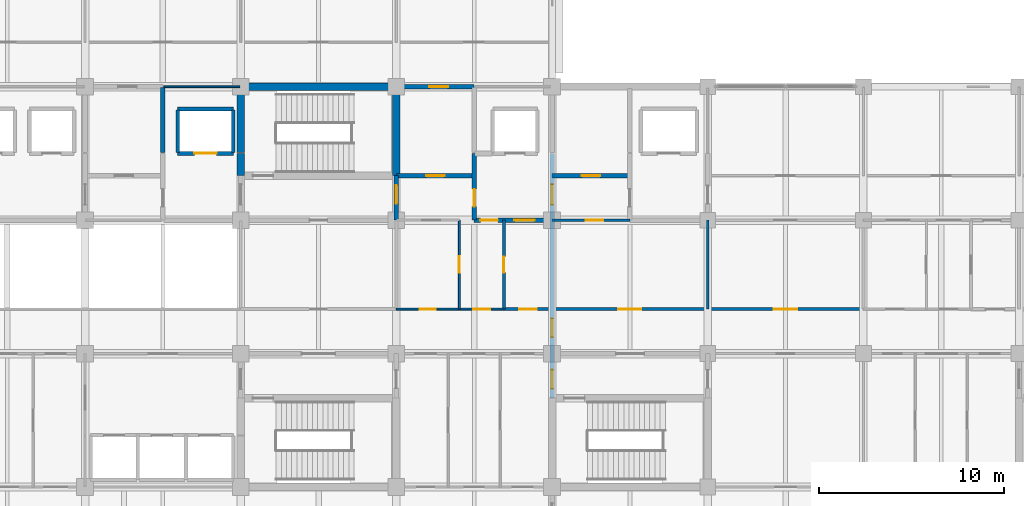
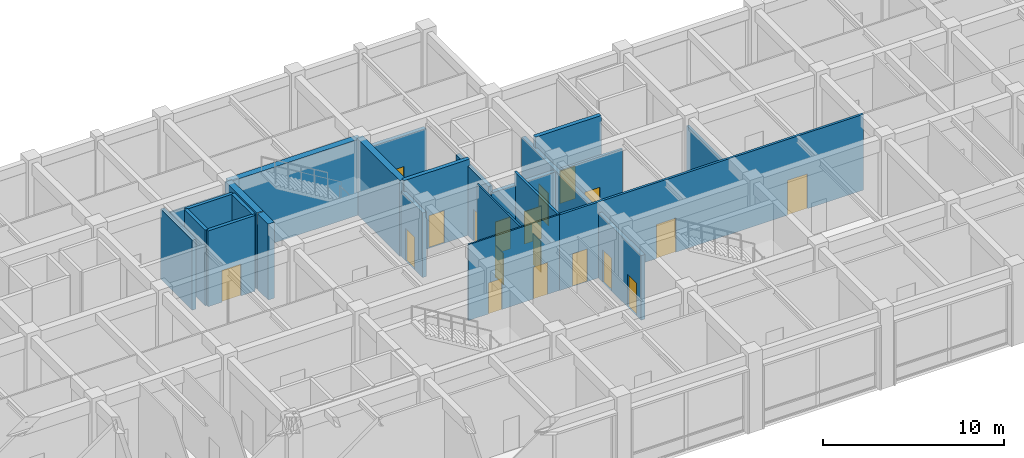
# One storey, part 52 of 68: 23 walls, 19 doors, 19 openings.
"""IFC4 building model written with IfcOpenShell, lengths in metres."""

from ifc_helpers import new_model, si_unit, direction, frame, frame_2d, origin, place, context, subcontext, project, spatial, rectangle, extrude, material, layer, layer_set, type_object, element, fill, save


model = new_model("IFC4")

# Units and contexts
model_context = context("Model", 3, precision=1e-05, world=origin(), true_north=direction((0.0, 1.0)))
body_context = subcontext(model_context, "Body", "Model", "MODEL_VIEW")
ifc_project = project(units=[si_unit("LENGTHUNIT", "METRE"), si_unit("AREAUNIT", "SQUARE_METRE"), si_unit("VOLUMEUNIT", "CUBIC_METRE"), si_unit("PLANEANGLEUNIT", "RADIAN"), si_unit("MASSUNIT", "GRAM", prefix="KILO")], contexts=[model_context])

# Site, building, storey
site_placement = place(None, origin())
site = spatial("IfcSite", under=ifc_project, at=site_placement, CompositionType="ELEMENT")
building_placement = place(site_placement, origin())
building = spatial("IfcBuilding", under=site, at=building_placement, Name="Chengyuan Square Courthouse", CompositionType="ELEMENT")
storey_placement = place(building_placement, frame((0.0, 0.0, 5.39990234375)))
storey = spatial("IfcBuildingStorey", under=building, at=storey_placement, Name="L02", CompositionType="ELEMENT", Elevation=5.39990234375)

# Wall, openings, doors
ifc_material_1 = material(Name="Concrete C40", Category="concrete")
ifc_layer_1 = layer(ifc_material_1, 0.25)
ifc_layer_set_1 = layer_set([ifc_layer_1], Name="Concrete C40")
wall_type_1 = type_object("IfcWallType", Name="WL-FW1", PredefinedType="STANDARD", material=ifc_layer_set_1)
wall_1_placement = place(storey_placement, frame((113.39990234375, 100.800048828125, 0.0), z_axis=(0.0, 0.0, 1.0), x_axis=(1.0, 0.0, 0.0)))
wall_1 = element("IfcWall", 1, at=wall_1_placement, inside=storey, type_object=wall_type_1, Name="Interior Wall WL-L02-I1144", PredefinedType="STANDARD", context=body_context, shape_type="SweptSolid", body=[
    extrude(rectangle(XDim=4.2001953125, YDim=0.25, at=frame_2d((2.10009765625, 0.0))), origin(), (0.0, 0.0, 1.0), 4.27001953125),
])
opening_1_placement = place(wall_1_placement, frame((0.324951171875, 0.0, 0.0)))
opening_1 = element("IfcOpeningElement", 2, at=opening_1_placement, cuts=wall_1, Name="Opening DR-1074", PredefinedType="OPENING", context=body_context, shape_type="SweptSolid", body=[
    extrude(rectangle(XDim=0.949951171875, YDim=2.14990234375, at=frame_2d((0.47509765625, 1.074951171875))), frame((0.0, 0.136962890625, 0.0), z_axis=(0.0, -1.0, 0.0), x_axis=(1.0, 0.0, 0.0)), (0.0, 0.0, 1.0), 0.27392578125),
])
opening_2_placement = place(wall_1_placement, frame((2.1650390625, 0.0, 0.0)))
opening_2 = element("IfcOpeningElement", 3, at=opening_2_placement, cuts=wall_1, Name="Opening DR-1075", PredefinedType="OPENING", context=body_context, shape_type="SweptSolid", body=[
    extrude(rectangle(XDim=1.10009765625, YDim=2.199951171875, at=frame_2d((0.550048828125, 1.10009765625))), frame((0.0, 0.136962890625, 0.0), z_axis=(0.0, -1.0, 0.0), x_axis=(1.0, 0.0, 0.0)), (0.0, 0.0, 1.0), 0.27392578125),
])
ifc_material_2 = material(Name="Steel Q235B Fire Door", Category="steel")
door_type_1 = type_object("IfcDoorType", Name="DT-10", OperationType="NOTDEFINED", PredefinedType="DOOR", material=ifc_material_2)
door_1_placement = place(opening_2_placement, origin())
door_1 = element("IfcDoor", 4, at=door_1_placement, inside=storey, type_object=door_type_1, Name="Interior Door DR-1075", OperationType="SINGLE_SWING_RIGHT", OverallHeight=2.199951171875, OverallWidth=1.10009765625, PredefinedType="DOOR", context=body_context, shape_type="SweptSolid", body=[
    extrude(rectangle(XDim=1.10009765625, YDim=2.199951171875, at=frame_2d((0.550048828125, 1.10009765625))), frame((0.0, 0.02490234375, 0.0), z_axis=(0.0, -1.0, 0.0), x_axis=(1.0, 0.0, 0.0)), (0.0, 0.0, 1.0), 0.050048828125),
])
fill(opening_2, door_1)
door_type_2 = type_object("IfcDoorType", Name="DT-12", OperationType="NOTDEFINED", PredefinedType="DOOR", material=ifc_material_2)
door_2_placement = place(opening_1_placement, origin())
door_2 = element("IfcDoor", 5, at=door_2_placement, inside=storey, type_object=door_type_2, Name="Interior Door DR-1074", OperationType="SINGLE_SWING_LEFT", OverallHeight=2.14990234375, OverallWidth=0.949951171875, PredefinedType="DOOR", context=body_context, shape_type="SweptSolid", body=[
    extrude(rectangle(XDim=0.949951171875, YDim=2.14990234375, at=frame_2d((0.47509765625, 1.074951171875))), frame((0.0, 0.02490234375, 0.0), z_axis=(0.0, -1.0, 0.0), x_axis=(1.0, 0.0, 0.0)), (0.0, 0.0, 1.0), 0.050048828125),
])
fill(opening_1, door_2)

# Wall, opening, door
wall_2_placement = place(storey_placement, frame((109.199951171875, 103.199951171875, 0.0), z_axis=(0.0, 0.0, 1.0), x_axis=(1.0, 0.0, 0.0)))
wall_2 = element("IfcWall", 6, at=wall_2_placement, inside=storey, type_object=wall_type_1, Name="Interior Wall WL-L02-I1159", PredefinedType="STANDARD", context=body_context, shape_type="SweptSolid", body=[
    extrude(rectangle(XDim=4.199951171875, YDim=0.25, at=frame_2d((2.10009765625, 0.0))), origin(), (0.0, 0.0, 1.0), 5.1201171875),
])
opening_3_placement = place(wall_2_placement, frame((1.60009765625, 0.0, 0.0)))
opening_3 = element("IfcOpeningElement", 7, at=opening_3_placement, cuts=wall_2, Name="Opening DR-1070", PredefinedType="OPENING", context=body_context, shape_type="SweptSolid", body=[
    extrude(rectangle(XDim=1.0, YDim=2.199951171875, at=frame_2d((0.5, 1.10009765625))), frame((0.0, 0.136962890625, 0.0), z_axis=(0.0, -1.0, 0.0), x_axis=(1.0, 0.0, 0.0)), (0.0, 0.0, 1.0), 0.27392578125),
])
door_type_3 = type_object("IfcDoorType", Name="DT-11", OperationType="NOTDEFINED", PredefinedType="DOOR", material=ifc_material_2)
door_3_placement = place(opening_3_placement, origin())
door_3 = element("IfcDoor", 8, at=door_3_placement, inside=storey, type_object=door_type_3, Name="Interior Door DR-1070", OperationType="SINGLE_SWING_LEFT", OverallHeight=2.199951171875, OverallWidth=1.0, PredefinedType="DOOR", context=body_context, shape_type="SweptSolid", body=[
    extrude(rectangle(XDim=1.0, YDim=2.199951171875, at=frame_2d((0.5, 1.10009765625))), frame((0.0, 0.02490234375, 0.0), z_axis=(0.0, -1.0, 0.0), x_axis=(1.0, 0.0, 0.0)), (0.0, 0.0, 1.0), 0.050048828125),
])
fill(opening_3, door_3)

wall_3_placement = place(storey_placement, frame((117.60009765625, 103.199951171875, 0.0), z_axis=(0.0, 0.0, 1.0), x_axis=(1.0, 0.0, 0.0)))
wall_3 = element("IfcWall", 9, at=wall_3_placement, inside=storey, type_object=wall_type_1, Name="Interior Wall WL-L02-I1160", PredefinedType="STANDARD", context=body_context, shape_type="SweptSolid", body=[
    extrude(rectangle(XDim=4.199951171875, YDim=0.25, at=frame_2d((2.10009765625, 0.0))), origin(), (0.0, 0.0, 1.0), 5.1201171875),
])
opening_4_placement = place(wall_3_placement, frame((1.60009765625, 0.0, 0.0)))
opening_4 = element("IfcOpeningElement", 10, at=opening_4_placement, cuts=wall_3, Name="Opening DR-1052", PredefinedType="OPENING", context=body_context, shape_type="SweptSolid", body=[
    extrude(rectangle(XDim=1.0, YDim=2.199951171875, at=frame_2d((0.5, 1.10009765625))), frame((0.0, 0.136962890625, 0.0), z_axis=(0.0, -1.0, 0.0), x_axis=(1.0, 0.0, 0.0)), (0.0, 0.0, 1.0), 0.27392578125),
])
door_4_placement = place(opening_4_placement, origin())
door_4 = element("IfcDoor", 11, at=door_4_placement, inside=storey, type_object=door_type_3, Name="Interior Door DR-1052", OperationType="SINGLE_SWING_RIGHT", OverallHeight=2.199951171875, OverallWidth=1.0, PredefinedType="DOOR", context=body_context, shape_type="SweptSolid", body=[
    extrude(rectangle(XDim=1.0, YDim=2.199951171875, at=frame_2d((0.5, 1.10009765625))), frame((0.0, 0.02490234375, 0.0), z_axis=(0.0, -1.0, 0.0), x_axis=(1.0, 0.0, 0.0)), (0.0, 0.0, 1.0), 0.050048828125),
])
fill(opening_4, door_4)

wall_4_placement = place(storey_placement, frame((109.199951171875, 108.0, 0.0), z_axis=(0.0, 0.0, 1.0), x_axis=(1.0, 0.0, 0.0)))
wall_4 = element("IfcWall", 12, at=wall_4_placement, inside=storey, type_object=wall_type_1, Name="Interior Wall WL-L02-I1196", PredefinedType="STANDARD", context=body_context, shape_type="SweptSolid", body=[
    extrude(rectangle(XDim=4.199951171875, YDim=0.25, at=frame_2d((2.10009765625, 0.0))), origin(), (0.0, 0.0, 1.0), 4.27001953125),
])
opening_5_placement = place(wall_4_placement, frame((1.784912109375, 0.0, 0.0)))
opening_5 = element("IfcOpeningElement", 13, at=opening_5_placement, cuts=wall_4, Name="Opening DR-1073", PredefinedType="OPENING", context=body_context, shape_type="SweptSolid", body=[
    extrude(rectangle(XDim=1.0, YDim=2.199951171875, at=frame_2d((0.5, 1.10009765625))), frame((0.0, 0.136962890625, 0.0), z_axis=(0.0, -1.0, 0.0), x_axis=(1.0, 0.0, 0.0)), (0.0, 0.0, 1.0), 0.27392578125),
])
door_5_placement = place(opening_5_placement, origin())
door_5 = element("IfcDoor", 14, at=door_5_placement, inside=storey, type_object=door_type_3, Name="Interior Door DR-1073", OperationType="SINGLE_SWING_RIGHT", OverallHeight=2.199951171875, OverallWidth=1.0, PredefinedType="DOOR", context=body_context, shape_type="SweptSolid", body=[
    extrude(rectangle(XDim=1.0, YDim=2.199951171875, at=frame_2d((0.5, 1.10009765625))), frame((0.0, 0.02490234375, 0.0), z_axis=(0.0, -1.0, 0.0), x_axis=(1.0, 0.0, 0.0)), (0.0, 0.0, 1.0), 0.050048828125),
])
fill(opening_5, door_5)

# Wall
wall_5_placement = place(storey_placement, frame((96.60009765625, 104.449951171875, 0.0), z_axis=(0.0, 0.0, 1.0), x_axis=(0.0, 1.0, 0.0)))
element("IfcWall", 15, at=wall_5_placement, inside=storey, type_object=wall_type_1, Name="Interior Wall WL-L02-I1311", PredefinedType="STANDARD", context=body_context, shape_type="SweptSolid", body=[
    extrude(rectangle(XDim=3.5, YDim=0.25, at=frame_2d((1.75, 0.0))), origin(), (0.0, 0.0, 1.0), 4.72021484375),
])

# Wall, opening, door
wall_6_placement = place(storey_placement, frame((109.199951171875, 100.800048828125, 0.0), z_axis=(0.0, 0.0, 1.0), x_axis=(0.0, 1.0, 0.0)))
wall_6 = element("IfcWall", 16, at=wall_6_placement, inside=storey, type_object=wall_type_1, Name="Interior Wall WL-L02-I1329", PredefinedType="STANDARD", context=body_context, shape_type="SweptSolid", body=[
    extrude(rectangle(XDim=2.39990234375, YDim=0.25, at=frame_2d((1.199951171875, 0.0))), origin(), (0.0, 0.0, 1.0), 4.3701171875),
])
opening_6_placement = place(wall_6_placement, frame((0.885009765625, 0.0, 0.0)))
opening_6 = element("IfcOpeningElement", 17, at=opening_6_placement, cuts=wall_6, Name="Opening DR-1013", PredefinedType="OPENING", context=body_context, shape_type="SweptSolid", body=[
    extrude(rectangle(XDim=1.0, YDim=2.199951171875, at=frame_2d((0.5, 1.10009765625))), frame((0.0, 0.136962890625, 0.0), z_axis=(0.0, -1.0, 0.0), x_axis=(1.0, 0.0, 0.0)), (0.0, 0.0, 1.0), 0.27392578125),
])
door_6_placement = place(opening_6_placement, origin())
door_6 = element("IfcDoor", 18, at=door_6_placement, inside=storey, type_object=door_type_3, Name="Interior Door DR-1013", OperationType="SINGLE_SWING_LEFT", OverallHeight=2.199951171875, OverallWidth=1.0, PredefinedType="DOOR", context=body_context, shape_type="SweptSolid", body=[
    extrude(rectangle(XDim=1.0, YDim=2.199951171875, at=frame_2d((0.5, 1.10009765625))), frame((0.0, 0.02490234375, 0.0), z_axis=(0.0, -1.0, 0.0), x_axis=(1.0, 0.0, 0.0)), (0.0, 0.0, 1.0), 0.050048828125),
])
fill(opening_6, door_6)

wall_7_placement = place(storey_placement, frame((113.39990234375, 100.800048828125, 0.0), z_axis=(0.0, 0.0, 1.0), x_axis=(0.0, 1.0, 0.0)))
wall_7 = element("IfcWall", 19, at=wall_7_placement, inside=storey, type_object=wall_type_1, Name="Interior Wall WL-L02-I1334", PredefinedType="STANDARD", context=body_context, shape_type="SweptSolid", body=[
    extrude(rectangle(XDim=3.599853515625, YDim=0.25, at=frame_2d((1.7998046875, 0.0))), origin(), (0.0, 0.0, 1.0), 4.670166015625),
])
opening_7_placement = place(wall_7_placement, frame((0.72509765625, 0.0, 0.0)))
opening_7 = element("IfcOpeningElement", 20, at=opening_7_placement, cuts=wall_7, Name="Opening DR-1071", PredefinedType="OPENING", context=body_context, shape_type="SweptSolid", body=[
    extrude(rectangle(XDim=0.949951171875, YDim=2.14990234375, at=frame_2d((0.47509765625, 1.074951171875))), frame((0.0, 0.136962890625, 0.0), z_axis=(0.0, -1.0, 0.0), x_axis=(1.0, 0.0, 0.0)), (0.0, 0.0, 1.0), 0.27392578125),
])
door_7_placement = place(opening_7_placement, origin())
door_7 = element("IfcDoor", 21, at=door_7_placement, inside=storey, type_object=door_type_2, Name="Interior Door DR-1071", OperationType="SINGLE_SWING_RIGHT", OverallHeight=2.14990234375, OverallWidth=0.949951171875, PredefinedType="DOOR", context=body_context, shape_type="SweptSolid", body=[
    extrude(rectangle(XDim=0.949951171875, YDim=2.14990234375, at=frame_2d((0.47509765625, 1.074951171875))), frame((0.0, 0.02490234375, 0.0), z_axis=(0.0, -1.0, 0.0), x_axis=(1.0, 0.0, 0.0)), (0.0, 0.0, 1.0), 0.050048828125),
])
fill(opening_7, door_7)

# Wall, openings, doors
wall_8_placement = place(storey_placement, frame((117.60009765625, 91.199951171875, 0.0), z_axis=(0.0, 0.0, 1.0), x_axis=(0.0, 1.0, 0.0)))
wall_8 = element("IfcWall", 22, at=wall_8_placement, inside=storey, type_object=wall_type_1, Name="Interior Wall WL-L02-I1342", PredefinedType="STANDARD", context=body_context, shape_type="SweptSolid", body=[
    extrude(rectangle(XDim=13.199951171875, YDim=0.25, at=frame_2d((6.60009765625, 0.0))), origin(), (0.0, 0.0, 1.0), 4.3701171875),
])
opening_8_placement = place(wall_8_placement, frame((0.514892578125, 0.0, 0.0)))
opening_8 = element("IfcOpeningElement", 23, at=opening_8_placement, cuts=wall_8, Name="Opening DR-1025", PredefinedType="OPENING", context=body_context, shape_type="SweptSolid", body=[
    extrude(rectangle(XDim=1.0, YDim=2.199951171875, at=frame_2d((0.5, 1.10009765625))), frame((0.0, 0.136962890625, 0.0), z_axis=(0.0, -1.0, 0.0), x_axis=(1.0, 0.0, 0.0)), (0.0, 0.0, 1.0), 0.27392578125),
])
opening_9_placement = place(wall_8_placement, frame((10.43505859375, 0.0, 0.0)))
opening_9 = element("IfcOpeningElement", 24, at=opening_9_placement, cuts=wall_8, Name="Opening DR-1054", PredefinedType="OPENING", context=body_context, shape_type="SweptSolid", body=[
    extrude(rectangle(XDim=1.10009765625, YDim=2.199951171875, at=frame_2d((0.550048828125, 1.10009765625))), frame((0.0, 0.136962890625, 0.0), z_axis=(0.0, -1.0, 0.0), x_axis=(1.0, 0.0, 0.0)), (0.0, 0.0, 1.0), 0.27392578125),
])
opening_10_placement = place(wall_8_placement, frame((3.284912109375, 0.0, 0.0)))
opening_10 = element("IfcOpeningElement", 25, at=opening_10_placement, cuts=wall_8, Name="Opening DR-1136", PredefinedType="OPENING", context=body_context, shape_type="SweptSolid", body=[
    extrude(rectangle(XDim=1.0, YDim=2.199951171875, at=frame_2d((0.5, 1.10009765625))), frame((0.0, 0.136962890625, 0.0), z_axis=(0.0, -1.0, 0.0), x_axis=(1.0, 0.0, 0.0)), (0.0, 0.0, 1.0), 0.27392578125),
])
door_8_placement = place(opening_9_placement, origin())
door_8 = element("IfcDoor", 26, at=door_8_placement, inside=storey, type_object=door_type_1, Name="Interior Door DR-1054", OperationType="SINGLE_SWING_RIGHT", OverallHeight=2.199951171875, OverallWidth=1.10009765625, PredefinedType="DOOR", context=body_context, shape_type="SweptSolid", body=[
    extrude(rectangle(XDim=1.10009765625, YDim=2.199951171875, at=frame_2d((0.550048828125, 1.10009765625))), frame((0.0, 0.02490234375, 0.0), z_axis=(0.0, -1.0, 0.0), x_axis=(1.0, 0.0, 0.0)), (0.0, 0.0, 1.0), 0.050048828125),
])
fill(opening_9, door_8)
door_9_placement = place(opening_8_placement, origin())
door_9 = element("IfcDoor", 27, at=door_9_placement, inside=storey, type_object=door_type_3, Name="Interior Door DR-1025", OperationType="SINGLE_SWING_LEFT", OverallHeight=2.199951171875, OverallWidth=1.0, PredefinedType="DOOR", context=body_context, shape_type="SweptSolid", body=[
    extrude(rectangle(XDim=1.0, YDim=2.199951171875, at=frame_2d((0.5, 1.10009765625))), frame((0.0, 0.02490234375, 0.0), z_axis=(0.0, -1.0, 0.0), x_axis=(1.0, 0.0, 0.0)), (0.0, 0.0, 1.0), 0.050048828125),
])
fill(opening_8, door_9)
door_10_placement = place(opening_10_placement, origin())
door_10 = element("IfcDoor", 28, at=door_10_placement, inside=storey, type_object=door_type_3, Name="Interior Door DR-1136", OperationType="SINGLE_SWING_RIGHT", OverallHeight=2.199951171875, OverallWidth=1.0, PredefinedType="DOOR", context=body_context, shape_type="SweptSolid", body=[
    extrude(rectangle(XDim=1.0, YDim=2.199951171875, at=frame_2d((0.5, 1.10009765625))), frame((0.0, 0.02490234375, 0.0), z_axis=(0.0, -1.0, 0.0), x_axis=(1.0, 0.0, 0.0)), (0.0, 0.0, 1.0), 0.050048828125),
])
fill(opening_10, door_10)

ifc_material_3 = material(Name="Deliberation Room Sound-Insulated Partition")
ifc_layer_2 = layer(ifc_material_3, 0.14990234375)
ifc_layer_set_2 = layer_set([ifc_layer_2], Name="Deliberation Room Sound-Insulated Partition")
wall_type_2 = type_object("IfcWallType", Name="WL-PT3", PredefinedType="STANDARD", material=ifc_layer_set_2)
wall_9_placement = place(storey_placement, frame((115.0, 96.0, 0.0), z_axis=(0.0, 0.0, 1.0), x_axis=(1.0, 0.0, 0.0)))
wall_9 = element("IfcWall", 29, at=wall_9_placement, inside=storey, type_object=wall_type_2, Name="Interior Wall WL-L02-I1121", PredefinedType="STANDARD", context=body_context, shape_type="SweptSolid", body=[
    extrude(rectangle(XDim=19.39990234375, YDim=0.14990234375, at=frame_2d((9.699951171875, 0.0))), origin(), (0.0, 0.0, 1.0), 5.1201171875),
])
opening_11_placement = place(wall_9_placement, frame((0.820068359375, 0.0, 0.0)))
opening_11 = element("IfcOpeningElement", 30, at=opening_11_placement, cuts=wall_9, Name="Opening DR-1140", PredefinedType="OPENING", context=body_context, shape_type="SweptSolid", body=[
    extrude(rectangle(XDim=0.9599609375, YDim=2.199951171875, at=frame_2d((0.47998046875, 1.10009765625))), frame((0.0, 0.0869140625, 0.0), z_axis=(0.0, -1.0, 0.0), x_axis=(1.0, 0.0, 0.0)), (0.0, 0.0, 1.0), 0.173828125),
])
opening_12_placement = place(wall_9_placement, frame((6.179931640625, 0.0, 0.0)))
opening_12 = element("IfcOpeningElement", 31, at=opening_12_placement, cuts=wall_9, Name="Opening DR-1147", PredefinedType="OPENING", context=body_context, shape_type="SweptSolid", body=[
    extrude(rectangle(XDim=1.239990234375, YDim=2.300048828125, at=frame_2d((0.6201171875, 1.14990234375))), frame((0.0, 0.0869140625, 0.0), z_axis=(0.0, -1.0, 0.0), x_axis=(1.0, 0.0, 0.0)), (0.0, 0.0, 1.0), 0.173828125),
])
opening_13_placement = place(wall_9_placement, frame((14.56005859375, 0.0, 0.0)))
opening_13 = element("IfcOpeningElement", 32, at=opening_13_placement, cuts=wall_9, Name="Opening DR-1148", PredefinedType="OPENING", context=body_context, shape_type="SweptSolid", body=[
    extrude(rectangle(XDim=1.280029296875, YDim=2.35009765625, at=frame_2d((0.64013671875, 1.175048828125))), frame((0.0, 0.0869140625, 0.0), z_axis=(0.0, -1.0, 0.0), x_axis=(1.0, 0.0, 0.0)), (0.0, 0.0, 1.0), 0.173828125),
])
ifc_material_4 = material(Name="Acoustic Solid-Core Timber Door", Category="wood")
door_type_4 = type_object("IfcDoorType", Name="DT-30", OperationType="NOTDEFINED", PredefinedType="DOOR", material=ifc_material_4)
door_11_placement = place(opening_11_placement, origin())
door_11 = element("IfcDoor", 33, at=door_11_placement, inside=storey, type_object=door_type_4, Name="Interior Door DR-1140", OperationType="SINGLE_SWING_RIGHT", OverallHeight=2.199951171875, OverallWidth=0.9599609375, PredefinedType="DOOR", context=body_context, shape_type="SweptSolid", body=[
    extrude(rectangle(XDim=0.9599609375, YDim=2.199951171875, at=frame_2d((0.47998046875, 1.10009765625))), frame((0.0, 0.02490234375, 0.0), z_axis=(0.0, -1.0, 0.0), x_axis=(1.0, 0.0, 0.0)), (0.0, 0.0, 1.0), 0.050048828125),
])
fill(opening_11, door_11)
door_type_5 = type_object("IfcDoorType", Name="DT-37", OperationType="NOTDEFINED", PredefinedType="DOOR", material=ifc_material_4)
door_12_placement = place(opening_12_placement, origin())
door_12 = element("IfcDoor", 34, at=door_12_placement, inside=storey, type_object=door_type_5, Name="Interior Door DR-1147", OperationType="SINGLE_SWING_LEFT", OverallHeight=2.300048828125, OverallWidth=1.239990234375, PredefinedType="DOOR", context=body_context, shape_type="SweptSolid", body=[
    extrude(rectangle(XDim=1.239990234375, YDim=2.300048828125, at=frame_2d((0.6201171875, 1.14990234375))), frame((0.0, 0.02490234375, 0.0), z_axis=(0.0, -1.0, 0.0), x_axis=(1.0, 0.0, 0.0)), (0.0, 0.0, 1.0), 0.050048828125),
])
fill(opening_12, door_12)
door_type_6 = type_object("IfcDoorType", Name="DT-38", OperationType="NOTDEFINED", PredefinedType="DOOR", material=ifc_material_4)
door_13_placement = place(opening_13_placement, origin())
door_13 = element("IfcDoor", 35, at=door_13_placement, inside=storey, type_object=door_type_6, Name="Interior Door DR-1148", OperationType="SINGLE_SWING_RIGHT", OverallHeight=2.35009765625, OverallWidth=1.280029296875, PredefinedType="DOOR", context=body_context, shape_type="SweptSolid", body=[
    extrude(rectangle(XDim=1.280029296875, YDim=2.35009765625, at=frame_2d((0.64013671875, 1.175048828125))), frame((0.0, 0.02490234375, 0.0), z_axis=(0.0, -1.0, 0.0), x_axis=(1.0, 0.0, 0.0)), (0.0, 0.0, 1.0), 0.050048828125),
])
fill(opening_13, door_13)

# Wall, opening, door
wall_10_placement = place(storey_placement, frame((117.60009765625, 100.800048828125, 0.0), z_axis=(0.0, 0.0, 1.0), x_axis=(1.0, 0.0, 0.0)))
wall_10 = element("IfcWall", 36, at=wall_10_placement, inside=storey, type_object=wall_type_2, Name="Interior Wall WL-L02-I1145", PredefinedType="STANDARD", context=body_context, shape_type="SweptSolid", body=[
    extrude(rectangle(XDim=4.199951171875, YDim=0.14990234375, at=frame_2d((2.10009765625, 0.0))), origin(), (0.0, 0.0, 1.0), 4.27001953125),
])
opening_14_placement = place(wall_10_placement, frame((1.804931640625, 0.0, 0.0)))
opening_14 = element("IfcOpeningElement", 37, at=opening_14_placement, cuts=wall_10, Name="Opening DR-1055", PredefinedType="OPENING", context=body_context, shape_type="SweptSolid", body=[
    extrude(rectangle(XDim=0.9599609375, YDim=2.199951171875, at=frame_2d((0.47998046875, 1.10009765625))), frame((0.0, 0.0869140625, 0.0), z_axis=(0.0, -1.0, 0.0), x_axis=(1.0, 0.0, 0.0)), (0.0, 0.0, 1.0), 0.173828125),
])
door_14_placement = place(opening_14_placement, origin())
door_14 = element("IfcDoor", 38, at=door_14_placement, inside=storey, type_object=door_type_4, Name="Interior Door DR-1055", OperationType="SINGLE_SWING_LEFT", OverallHeight=2.199951171875, OverallWidth=0.9599609375, PredefinedType="DOOR", context=body_context, shape_type="SweptSolid", body=[
    extrude(rectangle(XDim=0.9599609375, YDim=2.199951171875, at=frame_2d((0.47998046875, 1.10009765625))), frame((0.0, 0.02490234375, 0.0), z_axis=(0.0, -1.0, 0.0), x_axis=(1.0, 0.0, 0.0)), (0.0, 0.0, 1.0), 0.050048828125),
])
fill(opening_14, door_14)

wall_11_placement = place(storey_placement, frame((115.0, 96.0, 0.0), z_axis=(0.0, 0.0, 1.0), x_axis=(0.0, 1.0, 0.0)))
wall_11 = element("IfcWall", 39, at=wall_11_placement, inside=storey, type_object=wall_type_2, Name="Interior Wall WL-L02-I1338", PredefinedType="STANDARD", context=body_context, shape_type="SweptSolid", body=[
    extrude(rectangle(XDim=4.800048828125, YDim=0.14990234375, at=frame_2d((2.39990234375, 0.0))), origin(), (0.0, 0.0, 1.0), 5.1201171875),
])
opening_15_placement = place(wall_11_placement, frame((1.969970703125, 0.0, 0.0)))
opening_15 = element("IfcOpeningElement", 40, at=opening_15_placement, cuts=wall_11, Name="Opening DR-1172", PredefinedType="OPENING", context=body_context, shape_type="SweptSolid", body=[
    extrude(rectangle(XDim=0.860107421875, YDim=2.10009765625, at=frame_2d((0.43017578125, 1.050048828125))), frame((0.0, 0.0869140625, 0.0), z_axis=(0.0, -1.0, 0.0), x_axis=(1.0, 0.0, 0.0)), (0.0, 0.0, 1.0), 0.173828125),
])
door_type_7 = type_object("IfcDoorType", Name="DT-28", OperationType="NOTDEFINED", PredefinedType="DOOR", material=ifc_material_4)
door_15_placement = place(opening_15_placement, origin())
door_15 = element("IfcDoor", 41, at=door_15_placement, inside=storey, type_object=door_type_7, Name="Interior Door DR-1172", OperationType="SINGLE_SWING_LEFT", OverallHeight=2.10009765625, OverallWidth=0.860107421875, PredefinedType="DOOR", context=body_context, shape_type="SweptSolid", body=[
    extrude(rectangle(XDim=0.860107421875, YDim=2.10009765625, at=frame_2d((0.43017578125, 1.050048828125))), frame((0.0, 0.02490234375, 0.0), z_axis=(0.0, -1.0, 0.0), x_axis=(1.0, 0.0, 0.0)), (0.0, 0.0, 1.0), 0.050048828125),
])
fill(opening_15, door_15)

# Wall
wall_12_placement = place(storey_placement, frame((126.0, 96.0, 0.0), z_axis=(0.0, 0.0, 1.0), x_axis=(0.0, 1.0, 0.0)))
element("IfcWall", 42, at=wall_12_placement, inside=storey, type_object=wall_type_2, Name="Interior Wall WL-L02-I1351", PredefinedType="STANDARD", context=body_context, shape_type="SweptSolid", body=[
    extrude(rectangle(XDim=4.800048828125, YDim=0.14990234375, at=frame_2d((2.39990234375, 0.0))), origin(), (0.0, 0.0, 1.0), 4.3701171875),
])

# Wall, openings, doors
ifc_material_5 = material(Name="Gypsum Plasterboard Acoustic Stud Partition")
ifc_layer_3 = layer(ifc_material_5, 0.10009765625)
ifc_layer_set_3 = layer_set([ifc_layer_3], Name="Gypsum Plasterboard Acoustic Stud Partition")
wall_type_3 = type_object("IfcWallType", Name="WL-PT6", PredefinedType="STANDARD", material=ifc_layer_set_3)
wall_13_placement = place(storey_placement, frame((109.199951171875, 96.0, 0.0), z_axis=(0.0, 0.0, 1.0), x_axis=(1.0, 0.0, 0.0)))
wall_13 = element("IfcWall", 43, at=wall_13_placement, inside=storey, type_object=wall_type_3, Name="Interior Wall WL-L02-I1120", PredefinedType="STANDARD", context=body_context, shape_type="SweptSolid", body=[
    extrude(rectangle(XDim=5.800048828125, YDim=0.10009765625, at=frame_2d((2.89990234375, 0.0))), origin(), (0.0, 0.0, 1.0), 5.1201171875),
])
opening_16_placement = place(wall_13_placement, frame((1.27001953125, 0.0, 0.0)))
opening_16 = element("IfcOpeningElement", 44, at=opening_16_placement, cuts=wall_13, Name="Opening DR-1138", PredefinedType="OPENING", context=body_context, shape_type="SweptSolid", body=[
    extrude(rectangle(XDim=0.860107421875, YDim=2.10009765625, at=frame_2d((0.43017578125, 1.050048828125))), frame((0.0, 0.06201171875, 0.0), z_axis=(0.0, -1.0, 0.0), x_axis=(1.0, 0.0, 0.0)), (0.0, 0.0, 1.0), 0.1240234375),
])
opening_17_placement = place(wall_13_placement, frame((4.139892578125, 0.0, 0.0)))
opening_17 = element("IfcOpeningElement", 45, at=opening_17_placement, cuts=wall_13, Name="Opening DR-1139", PredefinedType="OPENING", context=body_context, shape_type="SweptSolid", body=[
    extrude(rectangle(XDim=0.919921875, YDim=2.14990234375, at=frame_2d((0.4599609375, 1.074951171875))), frame((0.0, 0.06201171875, 0.0), z_axis=(0.0, -1.0, 0.0), x_axis=(1.0, 0.0, 0.0)), (0.0, 0.0, 1.0), 0.1240234375),
])
door_16_placement = place(opening_16_placement, origin())
door_16 = element("IfcDoor", 46, at=door_16_placement, inside=storey, type_object=door_type_7, Name="Interior Door DR-1138", OperationType="SINGLE_SWING_RIGHT", OverallHeight=2.10009765625, OverallWidth=0.860107421875, PredefinedType="DOOR", context=body_context, shape_type="SweptSolid", body=[
    extrude(rectangle(XDim=0.860107421875, YDim=2.10009765625, at=frame_2d((0.43017578125, 1.050048828125))), frame((0.0, 0.02490234375, 0.0), z_axis=(0.0, -1.0, 0.0), x_axis=(1.0, 0.0, 0.0)), (0.0, 0.0, 1.0), 0.050048828125),
])
fill(opening_16, door_16)
door_type_8 = type_object("IfcDoorType", Name="DT-29", OperationType="NOTDEFINED", PredefinedType="DOOR", material=ifc_material_4)
door_17_placement = place(opening_17_placement, origin())
door_17 = element("IfcDoor", 47, at=door_17_placement, inside=storey, type_object=door_type_8, Name="Interior Door DR-1139", OperationType="SINGLE_SWING_LEFT", OverallHeight=2.14990234375, OverallWidth=0.919921875, PredefinedType="DOOR", context=body_context, shape_type="SweptSolid", body=[
    extrude(rectangle(XDim=0.919921875, YDim=2.14990234375, at=frame_2d((0.4599609375, 1.074951171875))), frame((0.0, 0.02490234375, 0.0), z_axis=(0.0, -1.0, 0.0), x_axis=(1.0, 0.0, 0.0)), (0.0, 0.0, 1.0), 0.050048828125),
])
fill(opening_17, door_17)

# Wall
wall_14_placement = place(storey_placement, frame((96.64990234375, 108.0, 0.0), z_axis=(0.0, 0.0, 1.0), x_axis=(1.0, 0.0, 0.0)))
element("IfcWall", 48, at=wall_14_placement, inside=storey, type_object=wall_type_3, Name="Interior Wall WL-L02-I1194", PredefinedType="STANDARD", context=body_context, shape_type="SweptSolid", body=[
    extrude(rectangle(XDim=4.10009765625, YDim=0.10009765625, at=frame_2d((2.050048828125, 0.0))), origin(), (0.0, 0.0, 1.0), 4.27001953125),
])

# Wall, opening, door
wall_15_placement = place(storey_placement, frame((112.60009765625, 96.0, 0.0), z_axis=(0.0, 0.0, 1.0), x_axis=(0.0, 1.0, 0.0)))
wall_15 = element("IfcWall", 49, at=wall_15_placement, inside=storey, type_object=wall_type_3, Name="Interior Wall WL-L02-I1333", PredefinedType="STANDARD", context=body_context, shape_type="SweptSolid", body=[
    extrude(rectangle(XDim=4.800048828125, YDim=0.10009765625, at=frame_2d((2.39990234375, 0.0))), origin(), (0.0, 0.0, 1.0), 5.1201171875),
])
opening_18_placement = place(wall_15_placement, frame((1.949951171875, 0.0, 0.0)))
opening_18 = element("IfcOpeningElement", 50, at=opening_18_placement, cuts=wall_15, Name="Opening DR-1171", PredefinedType="OPENING", context=body_context, shape_type="SweptSolid", body=[
    extrude(rectangle(XDim=0.89990234375, YDim=2.14990234375, at=frame_2d((0.449951171875, 1.074951171875))), frame((0.0, 0.06201171875, 0.0), z_axis=(0.0, -1.0, 0.0), x_axis=(1.0, 0.0, 0.0)), (0.0, 0.0, 1.0), 0.1240234375),
])
door_type_9 = type_object("IfcDoorType", Name="DT-27", OperationType="NOTDEFINED", PredefinedType="DOOR", material=ifc_material_4)
door_18_placement = place(opening_18_placement, origin())
door_18 = element("IfcDoor", 51, at=door_18_placement, inside=storey, type_object=door_type_9, Name="Interior Door DR-1171", OperationType="SINGLE_SWING_RIGHT", OverallHeight=2.14990234375, OverallWidth=0.89990234375, PredefinedType="DOOR", context=body_context, shape_type="SweptSolid", body=[
    extrude(rectangle(XDim=0.89990234375, YDim=2.14990234375, at=frame_2d((0.449951171875, 1.074951171875))), frame((0.0, 0.02490234375, 0.0), z_axis=(0.0, -1.0, 0.0), x_axis=(1.0, 0.0, 0.0)), (0.0, 0.0, 1.0), 0.050048828125),
])
fill(opening_18, door_18)

ifc_material_6 = material(Name="Reinforced Masonry Shaft Enclosure", Category="masonry")
ifc_layer_4 = layer(ifc_material_6, 0.199951171875)
ifc_layer_set_4 = layer_set([ifc_layer_4], Name="Reinforced Masonry Shaft Enclosure")
wall_type_4 = type_object("IfcWallType", Name="WL-SH1", PredefinedType="STANDARD", material=ifc_layer_set_4)
wall_16_placement = place(storey_placement, frame((97.39990234375, 104.39990234375, 0.0), z_axis=(0.0, 0.0, 1.0), x_axis=(1.0, 0.0, 0.0)))
wall_16 = element("IfcWall", 52, at=wall_16_placement, inside=storey, type_object=wall_type_4, Name="Interior Wall WL-L02-I1171", PredefinedType="STANDARD", context=body_context, shape_type="SweptSolid", body=[
    extrude(rectangle(XDim=3.0, YDim=0.199951171875, at=frame_2d((1.5, 0.0))), origin(), (0.0, 0.0, 1.0), 5.1201171875),
])
opening_19_placement = place(wall_16_placement, frame((0.89990234375, 0.0, 0.0)))
opening_19 = element("IfcOpeningElement", 53, at=opening_19_placement, cuts=wall_16, Name="Opening LD-038", PredefinedType="OPENING", context=body_context, shape_type="SweptSolid", body=[
    extrude(rectangle(XDim=1.199951171875, YDim=2.14990234375, at=frame_2d((0.60009765625, 1.074951171875))), frame((0.0, 0.112060546875, 0.0), z_axis=(0.0, -1.0, 0.0), x_axis=(1.0, 0.0, 0.0)), (0.0, 0.0, 1.0), 0.223876953125),
])
ifc_material_7 = material(Name="Stainless Steel S30408 Lift Landing Door", Category="steel")
door_type_10 = type_object("IfcDoorType", Name="DT-05", OperationType="DOUBLE_DOOR_SLIDING", PredefinedType="DOOR", material=ifc_material_7)
door_19_placement = place(opening_19_placement, origin())
door_19 = element("IfcDoor", 54, at=door_19_placement, inside=storey, type_object=door_type_10, Name="Lift Landing Door LF-F2 L02", OperationType="DOUBLE_DOOR_SLIDING", OverallHeight=2.14990234375, OverallWidth=1.199951171875, PredefinedType="DOOR", context=body_context, shape_type="SweptSolid", body=[
    extrude(rectangle(XDim=1.199951171875, YDim=2.14990234375, at=frame_2d((0.60009765625, 1.074951171875))), frame((0.0, 0.02490234375, 0.0), z_axis=(0.0, -1.0, 0.0), x_axis=(1.0, 0.0, 0.0)), (0.0, 0.0, 1.0), 0.050048828125),
])
fill(opening_19, door_19)

# Walls
wall_17_placement = place(storey_placement, frame((97.39990234375, 106.800048828125, 0.0), z_axis=(0.0, 0.0, 1.0), x_axis=(1.0, 0.0, 0.0)))
element("IfcWall", 55, at=wall_17_placement, inside=storey, type_object=wall_type_4, Name="Interior Wall WL-L02-I1182", PredefinedType="STANDARD", context=body_context, shape_type="SweptSolid", body=[
    extrude(rectangle(XDim=3.0, YDim=0.199951171875, at=frame_2d((1.5, 0.0))), origin(), (0.0, 0.0, 1.0), 5.1201171875),
])
for number, where, z_axis, x_axis, name in (
    (56, (97.39990234375, 104.449951171875, 0.0), (0.0, 0.0, 1.0), (0.0, 1.0, 0.0), "Interior Wall WL-L02-I1312"),
    (57, (100.39990234375, 104.449951171875, 0.0), (0.0, 0.0, 1.0), (0.0, 1.0, 0.0), "Interior Wall WL-L02-I1315"),
):
    element("IfcWall", number, at=place(storey_placement, frame(where, z_axis=z_axis, x_axis=x_axis)), inside=storey, type_object=wall_type_4, Name=name, PredefinedType="STANDARD", context=body_context, shape_type="SweptSolid", body=[
        extrude(rectangle(XDim=2.300048828125, YDim=0.199951171875, at=frame_2d((1.14990234375, 0.0))), origin(), (0.0, 0.0, 1.0), 5.1201171875),
    ])
ifc_material_8 = material(Name="Concrete C50", Category="concrete")
ifc_layer_5 = layer(ifc_material_8, 0.39990234375)
ifc_layer_set_5 = layer_set([ifc_layer_5], Name="Concrete C50")
wall_type_5 = type_object("IfcWallType", Name="WL-SW1", PredefinedType="SHEAR", material=ifc_layer_set_5)
wall_18_placement = place(storey_placement, frame((100.800048828125, 108.0, 0.0), z_axis=(0.0, 0.0, 1.0), x_axis=(1.0, 0.0, 0.0)))
element("IfcWall", 58, at=wall_18_placement, inside=storey, type_object=wall_type_5, Name="Interior Wall WL-L02-I1195", PredefinedType="SHEAR", context=body_context, shape_type="SweptSolid", body=[
    extrude(rectangle(XDim=8.39990234375, YDim=0.39990234375, at=frame_2d((4.199951171875, 0.0))), origin(), (0.0, 0.0, 1.0), 5.1201171875),
])
wall_19_placement = place(storey_placement, frame((100.800048828125, 103.199951171875, 0.0), z_axis=(0.0, 0.0, 1.0), x_axis=(0.0, 1.0, 0.0)))
element("IfcWall", 59, at=wall_19_placement, inside=storey, type_object=wall_type_5, Name="Interior Wall WL-L02-I1322", PredefinedType="SHEAR", context=body_context, shape_type="SweptSolid", body=[
    extrude(rectangle(XDim=1.199951171875, YDim=0.39990234375, at=frame_2d((0.60009765625, 0.0))), origin(), (0.0, 0.0, 1.0), 5.1201171875),
])
wall_20_placement = place(storey_placement, frame((100.800048828125, 104.449951171875, 0.0), z_axis=(0.0, 0.0, 1.0), x_axis=(0.0, 1.0, 0.0)))
element("IfcWall", 60, at=wall_20_placement, inside=storey, type_object=wall_type_5, Name="Interior Wall WL-L02-I1323", PredefinedType="SHEAR", context=body_context, shape_type="SweptSolid", body=[
    extrude(rectangle(XDim=3.5, YDim=0.39990234375, at=frame_2d((1.75, 0.0))), origin(), (0.0, 0.0, 1.0), 5.1201171875),
])
wall_21_placement = place(storey_placement, frame((109.199951171875, 103.199951171875, 0.0), z_axis=(0.0, 0.0, 1.0), x_axis=(0.0, 1.0, 0.0)))
element("IfcWall", 61, at=wall_21_placement, inside=storey, type_object=wall_type_5, Name="Interior Wall WL-L02-I1330", PredefinedType="SHEAR", context=body_context, shape_type="SweptSolid", body=[
    extrude(rectangle(XDim=4.800048828125, YDim=0.39990234375, at=frame_2d((2.39990234375, 0.0))), origin(), (0.0, 0.0, 1.0), 5.1201171875),
])

save(model, "model.ifc")
